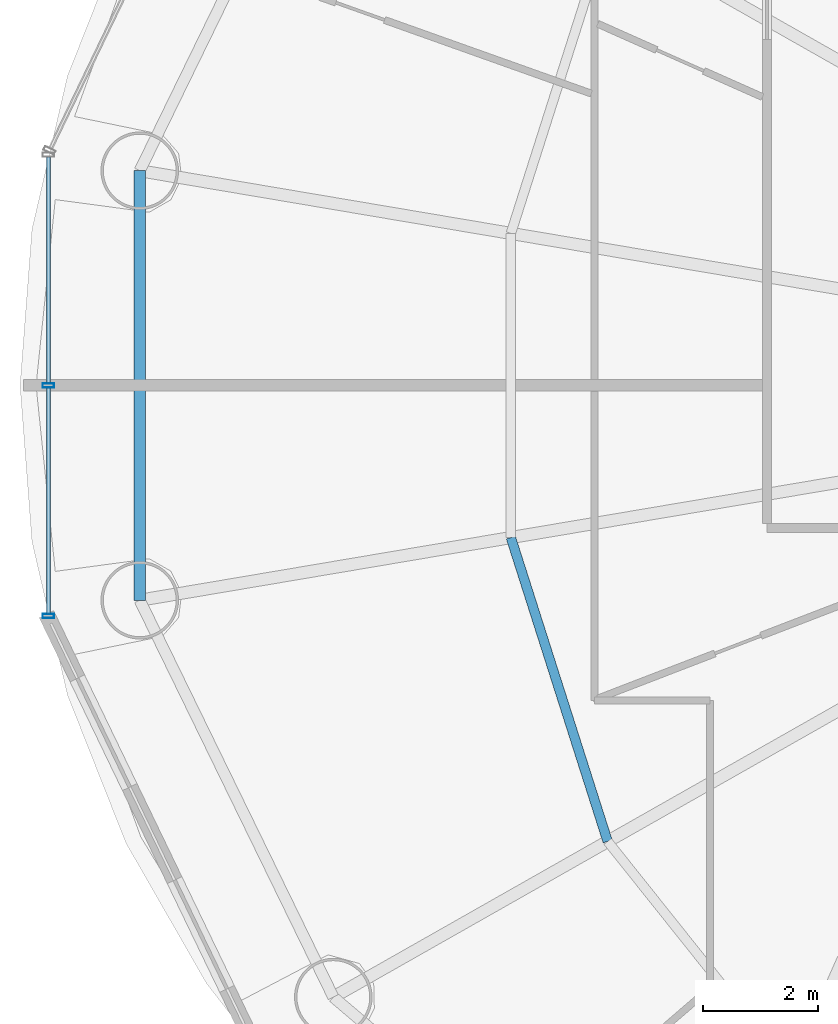
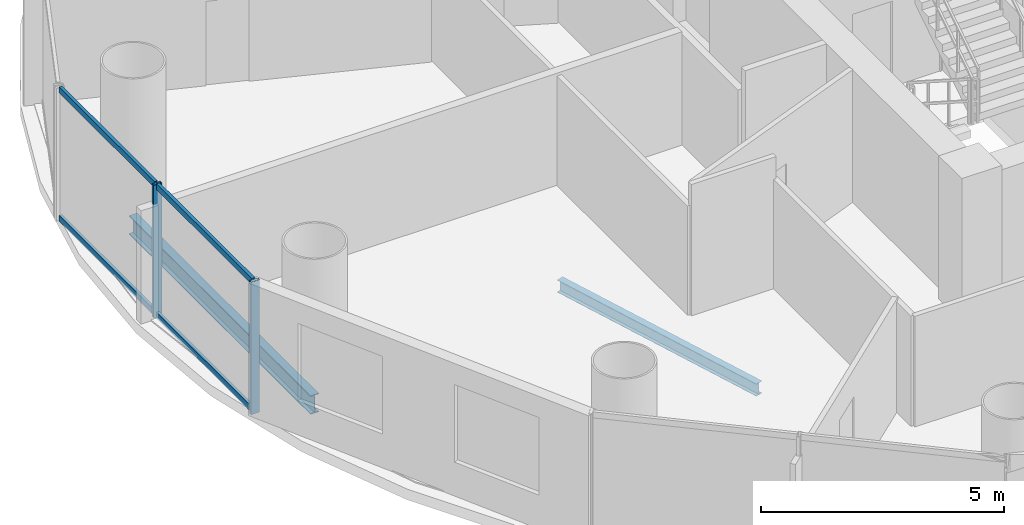
# One storey, part 6 of 26: 6 members, 2 beams, 1 element without a shape of its own.
"""IFC4 building model written with IfcOpenShell, lengths in metres."""

from ifc_helpers import new_model, si_unit, direction, frame, origin, origin_2d, place, context, subcontext, project, spatial, hollow_rectangle, i_section, extrude, source, transform, mapped, material, material_profile, profile_set, type_object, element, aggregate, save


model = new_model("IFC4")

# Units and contexts
model_context = context("Model", 3, precision=1e-05, world=origin(), true_north=direction((-0.2419218956, 0.970295726276)))
body_context = subcontext(model_context, "Body", "Model", "MODEL_VIEW")
ifc_project = project(units=[si_unit("LENGTHUNIT", "METRE"), si_unit("AREAUNIT", "SQUARE_METRE"), si_unit("VOLUMEUNIT", "CUBIC_METRE"), si_unit("PLANEANGLEUNIT", "RADIAN"), si_unit("MASSUNIT", "GRAM", prefix="KILO")], contexts=[model_context])

# Site, building, storey
site_placement = place(None, origin())
site = spatial("IfcSite", under=ifc_project, at=site_placement, CompositionType="ELEMENT")
building_placement = place(site_placement, origin())
building = spatial("IfcBuilding", under=site, at=building_placement, Name="Cobrevalo Terracotta Tower", CompositionType="ELEMENT")
storey_placement = place(building_placement, frame((0.0, 0.0, 178.60009765625)))
storey = spatial("IfcBuildingStorey", under=building, at=storey_placement, Name="L47", CompositionType="ELEMENT", Elevation=178.60009765625)

# Beams
ifc_material_1 = material(Name="Steel S355", Category="steel")
ifc_material_profile_1 = material_profile(ifc_material_1, i_section(OverallWidth=0.1650390625, OverallDepth=0.31005859375, WebThickness=0.005859375, FlangeThickness=0.009765625, at=origin_2d()), Name="W 310x38.7")
ifc_profile_set_1 = profile_set([ifc_material_profile_1], Name="Steel S355")
beam_type_1 = type_object("IfcBeamType", Name="Structural Joist W 310x38.7 (Steel S355)", PredefinedType="JOIST", material=ifc_profile_set_1)
beam_1_placement = place(storey_placement, frame((22.339111328125, 24.154541015625, -0.425048828125), z_axis=(0.303497928386, -0.952832098255, 0.0), x_axis=(0.952832098255, 0.303497928386, 0.0)))
element("IfcBeam", 1, at=beam_1_placement, inside=storey, type_object=beam_type_1, Name="L47 circumferential secondary floor joist 09", PredefinedType="JOIST", context=body_context, shape_type="SweptSolid", body=[
    extrude(i_section(OverallWidth=0.1650390625, OverallDepth=0.31005859375, WebThickness=0.005859375, FlangeThickness=0.009765625, at=origin_2d()), origin(), (0.0, 0.0, 1.0), 5.54736328125),
])
ifc_material_profile_2 = material_profile(ifc_material_1, i_section(OverallWidth=0.194091796875, OverallDepth=0.468994140625, WebThickness=0.011474609375, FlangeThickness=0.0205078125, at=origin_2d()), Name="W 460x106")
ifc_profile_set_2 = profile_set([ifc_material_profile_2], Name="Steel S355")
beam_type_2 = type_object("IfcBeamType", Name="Structural Spandrel W 460x106 (Steel S355)", PredefinedType="SPANDREL", material=ifc_profile_set_2)
beam_2_placement = place(storey_placement, frame((15.88330078125, 30.535888671875, -0.504638671875), z_axis=(0.0, -1.0, 0.0), x_axis=(1.0, 0.0, 0.0)))
element("IfcBeam", 2, at=beam_2_placement, inside=storey, type_object=beam_type_2, Name="L47 perimeter ring spandrel 08", PredefinedType="SPANDREL", context=body_context, shape_type="SweptSolid", body=[
    extrude(i_section(OverallWidth=0.194091796875, OverallDepth=0.468994140625, WebThickness=0.011474609375, FlangeThickness=0.0205078125, at=origin_2d()), origin(), (0.0, 0.0, 1.0), 7.471923828125),
])

# Curtain wall, members
ifc_material_2 = material(Name="Anodized aluminium", Category="aluminium")
curtain_wall_type = type_object("IfcCurtainWallType", Name="Mid-tower high-wind unitised curtain wall CW-U2", PredefinedType="NOTDEFINED", material=ifc_material_2)
curtain_wall_placement = place(storey_placement, origin())
curtain_wall = element("IfcCurtainWall", 3, at=curtain_wall_placement, inside=storey, type_object=curtain_wall_type, Name="L47 curtain wall CW-L47-S08", PredefinedType="NOTDEFINED")
ifc_material_profile_3 = material_profile(ifc_material_2, hollow_rectangle(XDim=0.074951171875, YDim=0.14990234375, WallThickness=0.00439453125, at=origin_2d()), Name="CWT 75x150")
ifc_profile_set_3 = profile_set([ifc_material_profile_3], Name="Anodized aluminium")
member_type_1 = type_object("IfcMemberType", Name="Tower unitised aluminium transom 75x150", PredefinedType="USERDEFINED", material=ifc_profile_set_3)
shared_shape_1 = source(origin(), body_context, "Body", "SweptSolid", [
    extrude(hollow_rectangle(XDim=0.074951171875, YDim=0.14990234375, WallThickness=0.00439453125, at=origin_2d()), origin(), (0.0, 0.0, 1.0), 3.931884765625),
])
member_1_placement = place(storey_placement, frame((14.29443359375, 30.77197265625, 0.0498046875), z_axis=(0.0, -1.0, 0.0), x_axis=(1.0, 0.0, 0.0)))
member_1 = element("IfcMember", 4, at=member_1_placement, type_object=member_type_1, Name="CW-L47-S08 transom B01-T1", ObjectType="TRANSOM", PredefinedType="USERDEFINED", context=body_context, shape_type="MappedRepresentation", body=[
    mapped(shared_shape_1, transform((0.0, 0.0, 0.0), scale=1.0)),
])
member_2_placement = place(storey_placement, frame((14.29443359375, 30.77197265625, 3.27978515625), z_axis=(0.0, -1.0, 0.0), x_axis=(1.0, 0.0, 0.0)))
member_2 = element("IfcMember", 5, at=member_2_placement, type_object=member_type_1, Name="CW-L47-S08 transom B01-T2", ObjectType="TRANSOM", PredefinedType="USERDEFINED", context=body_context, shape_type="MappedRepresentation", body=[
    mapped(shared_shape_1, transform((0.0, 0.0, 0.0), scale=1.0)),
])
shared_shape_2 = source(origin(), body_context, "Body", "SweptSolid", [
    extrude(hollow_rectangle(XDim=0.074951171875, YDim=0.14990234375, WallThickness=0.00439453125, at=origin_2d()), origin(), (0.0, 0.0, 1.0), 3.93212890625),
])
member_3_placement = place(storey_placement, frame((14.29443359375, 26.760009765625, 0.0498046875), z_axis=(0.0, -1.0, 0.0), x_axis=(1.0, 0.0, 0.0)))
member_3 = element("IfcMember", 6, at=member_3_placement, type_object=member_type_1, Name="CW-L47-S08 transom B02-T1", ObjectType="TRANSOM", PredefinedType="USERDEFINED", context=body_context, shape_type="MappedRepresentation", body=[
    mapped(shared_shape_2, transform((0.0, 0.0, 0.0), scale=1.0)),
])
member_4_placement = place(storey_placement, frame((14.29443359375, 26.760009765625, 3.27978515625), z_axis=(0.0, -1.0, 0.0), x_axis=(1.0, 0.0, 0.0)))
member_4 = element("IfcMember", 7, at=member_4_placement, type_object=member_type_1, Name="CW-L47-S08 transom B02-T2", ObjectType="TRANSOM", PredefinedType="USERDEFINED", context=body_context, shape_type="MappedRepresentation", body=[
    mapped(shared_shape_2, transform((0.0, 0.0, 0.0), scale=1.0)),
])
ifc_material_profile_4 = material_profile(ifc_material_2, hollow_rectangle(XDim=0.074951171875, YDim=0.199951171875, WallThickness=0.0048828125, at=origin_2d()), Name="CWM 75x200")
ifc_profile_set_4 = profile_set([ifc_material_profile_4], Name="Anodized aluminium")
member_type_2 = type_object("IfcMemberType", Name="Lower/mid tower unitised mullion 75x200", PredefinedType="MULLION", material=ifc_profile_set_4)
shared_shape_3 = source(origin(), body_context, "Body", "SweptSolid", [
    extrude(hollow_rectangle(XDim=0.074951171875, YDim=0.199951171875, WallThickness=0.0048828125, at=origin_2d()), origin(), (0.0, 0.0, 1.0), 3.329833984375),
])
member_5_placement = place(storey_placement, frame((14.29443359375, 26.800048828125, 0.0), z_axis=(0.0, 0.0, 1.0), x_axis=(0.0, -1.0, 0.0)))
member_5 = element("IfcMember", 8, at=member_5_placement, type_object=member_type_2, Name="CW-L47-S08 vertical mullion 02", PredefinedType="MULLION", context=body_context, shape_type="MappedRepresentation", body=[
    mapped(shared_shape_3, transform((0.0, 0.0, 0.0), scale=1.0)),
])
member_6_placement = place(storey_placement, frame((14.29443359375, 22.7880859375, 0.0), z_axis=(0.0, 0.0, 1.0), x_axis=(0.0, -1.0, 0.0)))
member_6 = element("IfcMember", 9, at=member_6_placement, type_object=member_type_2, Name="CW-L47-S08 vertical mullion 03", PredefinedType="MULLION", context=body_context, shape_type="MappedRepresentation", body=[
    mapped(shared_shape_3, transform((0.0, 0.0, 0.0), scale=1.0)),
])
aggregate(curtain_wall, [member_5, member_6, member_1, member_2, member_3, member_4])

save(model, "model.ifc")
